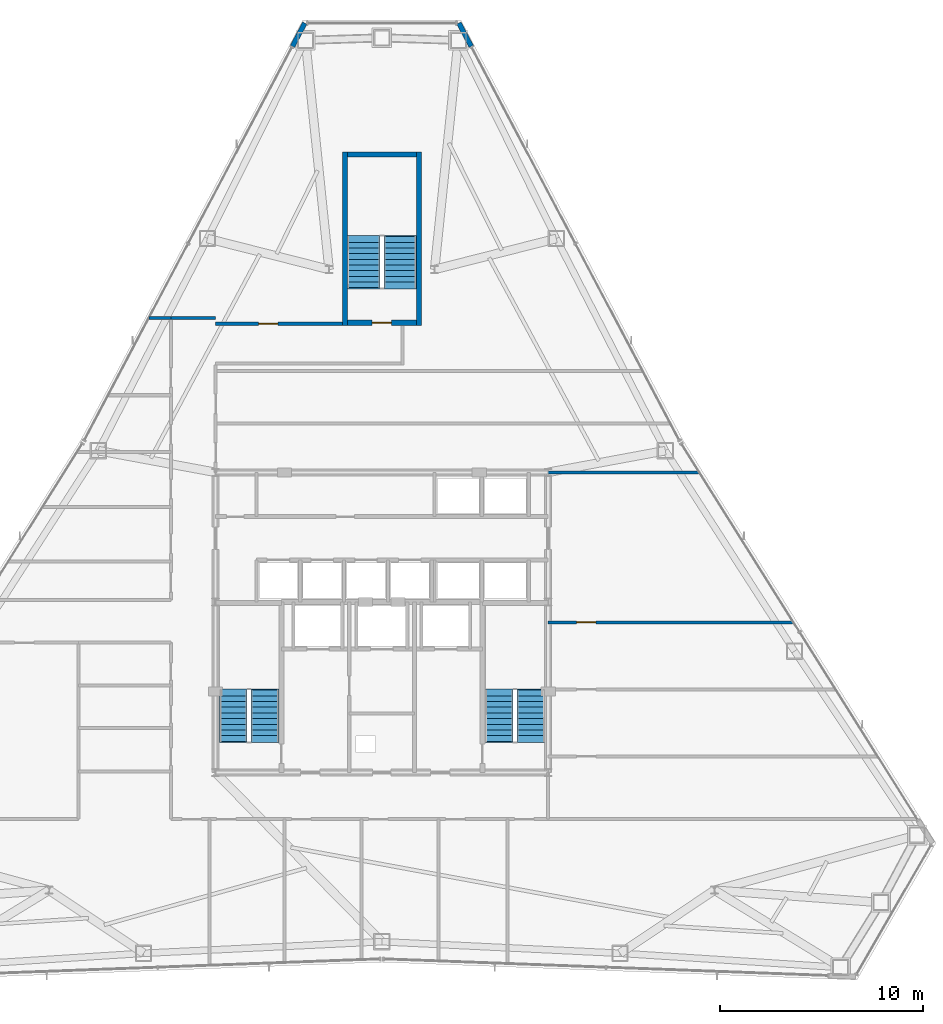
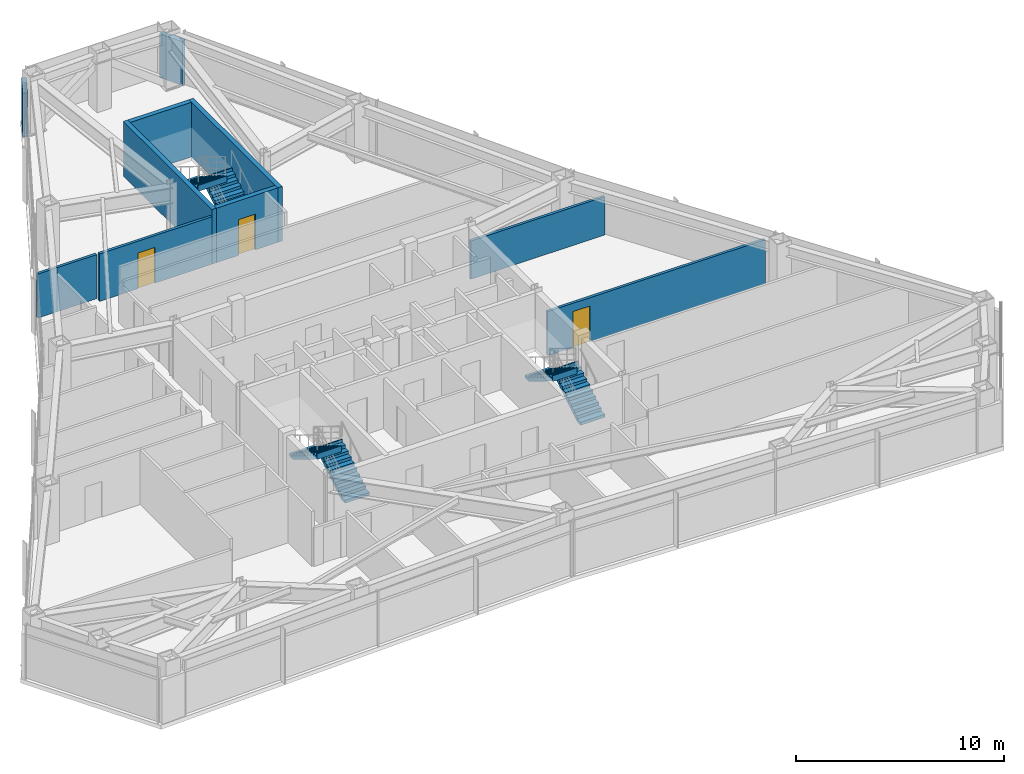
# One storey, part 12 of 13: 11 walls, 6 stair flights, 3 doors, 3 openings, 3 elements without a shape of their own.
"""IFC4 building model written with IfcOpenShell, lengths in metres."""

import ifcopenshell
import ifcopenshell.guid

model = None  # the IFC model being written
_history = None  # IfcOwnerHistory: only IFC2X3 demands one
_inside = {}  # id of a spatial element -> (the spatial element, [elements in it])
_under = {}  # id of a project, library or spatial element -> (it, [spatial elements below it])
_declared = {}  # id of a project -> (the project, [libraries it declares])
_typed = {}  # id of a type object -> (the type object, [elements of that type])
_made_of = {}  # id of a material, layer set ... -> (it, [elements and type objects made of it])


def new_model(schema):
    """Start an empty IFC model of exactly this schema.

    Asked for "IFC4X3", IfcOpenShell would pick the latest addendum, in which some entities
    have other attributes; the version numbers below select the first issue.
    IFC2X3 requires an IfcOwnerHistory on every rooted entity: one is made here for all.
    """
    global model, _history
    if schema == "IFC4X3":
        model = ifcopenshell.file(schema_version=(4, 3, 0, 0))
    else:
        model = ifcopenshell.file(schema=schema)
    _inside.clear()
    _under.clear()
    _declared.clear()
    _typed.clear()
    _made_of.clear()
    _history = None
    if model.schema == "IFC2X3":
        org = make("IfcOrganization", Name="unknown")
        user = make(
            "IfcPersonAndOrganization",
            ThePerson=make("IfcPerson", FamilyName="unknown"),
            TheOrganization=org,
        )
        app = make(
            "IfcApplication",
            ApplicationDeveloper=org,
            Version="unknown",
            ApplicationFullName="unknown",
            ApplicationIdentifier="unknown",
        )
        _history = make(
            "IfcOwnerHistory",
            OwningUser=user,
            OwningApplication=app,
            ChangeAction="ADDED",
            CreationDate=0,
        )
    return model


def make(cls, **values):
    """One entity of the class cls with the attributes given. An attribute that is None is left unset."""
    return model.create_entity(
        cls, **{name: value for name, value in values.items() if value is not None}
    )


def rooted(cls, **values):
    """An entity with a GlobalId (a new one), such as an element, a storey or a relation."""
    return make(cls, GlobalId=ifcopenshell.guid.new(), OwnerHistory=_history, **values)


def si_unit(unit_type, name, prefix=None):
    """IfcSIUnit, for example si_unit("LENGTHUNIT", "METRE", prefix="MILLI")."""
    return make("IfcSIUnit", UnitType=unit_type, Prefix=prefix, Name=name)


def assignment(units):
    """IfcUnitAssignment: the units of a project."""
    return None if units is None else make("IfcUnitAssignment", Units=units)


def point(xyz):
    """IfcCartesianPoint."""
    return None if xyz is None else make("IfcCartesianPoint", Coordinates=xyz)


def direction(xyz):
    """IfcDirection."""
    return None if xyz is None else make("IfcDirection", DirectionRatios=xyz)


def frame(location, z_axis=None, x_axis=None):
    """IfcAxis2Placement3D, a coordinate frame: its origin and axes. An axis left out is left unset."""
    return make(
        "IfcAxis2Placement3D",
        Location=point(location),
        Axis=direction(z_axis),
        RefDirection=direction(x_axis),
    )


def frame_2d(location, x_axis=None):
    """IfcAxis2Placement2D, a coordinate frame in the plane: its origin and x axis."""
    return make(
        "IfcAxis2Placement2D", Location=point(location), RefDirection=direction(x_axis)
    )


def origin():
    """The frame at (0, 0, 0) with its axes left unset."""
    return frame((0.0, 0.0, 0.0))


def place(relative_to, where):
    """IfcLocalPlacement: puts the frame where relative to a parent placement (None: the world)."""
    return make(
        "IfcLocalPlacement", PlacementRelTo=relative_to, RelativePlacement=where
    )


def context(
    kind, dimensions, precision=None, world=None, true_north=None, identifier=None
):
    """IfcGeometricRepresentationContext, for example the 3D "Model" context."""
    return make(
        "IfcGeometricRepresentationContext",
        ContextIdentifier=identifier,
        ContextType=kind,
        CoordinateSpaceDimension=dimensions,
        Precision=precision,
        WorldCoordinateSystem=world,
        TrueNorth=true_north,
    )


def subcontext(parent, identifier, kind, view, scale=None):
    """IfcGeometricRepresentationSubContext, for example "Body" below "Model"."""
    return make(
        "IfcGeometricRepresentationSubContext",
        ContextIdentifier=identifier,
        ContextType=kind,
        ParentContext=parent,
        TargetScale=scale,
        TargetView=view,
    )


def project(units=None, contexts=None):
    """IfcProject with its units and contexts."""
    return rooted(
        "IfcProject",
        Name="project",
        RepresentationContexts=contexts,
        UnitsInContext=assignment(units),
    )


def spatial(cls, under=None, at=None, **own):
    """A site, building, storey or space (cls), placed at a placement, below another one or the project."""
    s = rooted(cls, ObjectPlacement=at, **own)
    if under is not None:
        _under.setdefault(under.id(), (under, []))[1].append(s)
    return s


def polyline(points):
    """IfcPolyline through the points."""
    return make("IfcPolyline", Points=[point(p) for p in points])


def profile(cls, at=None, kind="AREA", **sizes):
    """A parametric profile (cls). Its sizes go by their IFC names, for example OverallWidth=200.0."""
    return make(cls, ProfileType=kind, Position=at, **sizes)


def rectangle(**sizes):
    """IfcRectangleProfileDef."""
    return profile("IfcRectangleProfileDef", **sizes)


def outline(outer, holes=None, kind="AREA"):
    """IfcArbitraryClosedProfileDef: a profile drawn as a closed curve; with holes, ...WithVoids."""
    if holes is None:
        return make("IfcArbitraryClosedProfileDef", ProfileType=kind, OuterCurve=outer)
    return make(
        "IfcArbitraryProfileDefWithVoids",
        ProfileType=kind,
        OuterCurve=outer,
        InnerCurves=holes,
    )


def extrude(swept, where, along, depth):
    """IfcExtrudedAreaSolid: the profile swept, set in the frame where, extruded along a direction by depth."""
    return make(
        "IfcExtrudedAreaSolid",
        SweptArea=swept,
        Position=where,
        ExtrudedDirection=direction(along),
        Depth=depth,
    )


def shape(context_of_items, identifier, shape_type, items):
    """IfcShapeRepresentation: the items that make up one representation, for example the "Body"."""
    return make(
        "IfcShapeRepresentation",
        ContextOfItems=context_of_items,
        RepresentationIdentifier=identifier,
        RepresentationType=shape_type,
        Items=items,
    )


def material(Name=None, Category=None):
    """IfcMaterial."""
    return make("IfcMaterial", Name=Name, Category=Category)


def layer(
    of_material, thickness, ventilated=None, Name=None, Category=None, Priority=None
):
    """IfcMaterialLayer: one layer of a wall or slab, of a material (None: an air gap)."""
    return make(
        "IfcMaterialLayer",
        Material=of_material,
        LayerThickness=thickness,
        IsVentilated=ventilated,
        Name=Name,
        Category=Category,
        Priority=Priority,
    )


def layer_set(layers, Name=None):
    """IfcMaterialLayerSet."""
    return make("IfcMaterialLayerSet", MaterialLayers=layers, LayerSetName=Name)


def made_of(thing, what):
    """Note that an element or type object is made of a material, layer set ...; save() writes the relation."""
    if what is not None:
        _made_of.setdefault(what.id(), (what, []))[1].append(thing)
    return thing


def type_object(cls, material=None, **own):
    """A type object (cls), such as IfcWallType, which elements share."""
    return made_of(rooted(cls, **own), material)


def element(
    cls,
    number,
    at=None,
    inside=None,
    cuts=None,
    type_object=None,
    material=None,
    context=None,
    identifier="Body",
    shape_type=None,
    held_by="IfcProductDefinitionShape",
    body=None,
    shapes=None,
    **own,
):
    """One element of the class cls, such as IfcWall. Its Tag is "e" and its number.

    at: its placement. inside: the storey or other place that contains it. cuts: it is an
    opening in that element (IfcRelVoidsElement). A single representation is given by context,
    identifier, shape_type and body (its items); several are given by shapes. held_by: the class
    of the entity that holds the representations. save() writes the other relations.
    """
    e = rooted(cls, Tag="e%d" % number, ObjectPlacement=at, **own)
    if body is not None:
        shapes = [shape(context, identifier, shape_type, body)]
    if shapes is not None:
        e.Representation = make(held_by, Representations=shapes)
    if inside is not None:
        _inside.setdefault(inside.id(), (inside, []))[1].append(e)
    if cuts is not None:
        rooted(
            "IfcRelVoidsElement", RelatingBuildingElement=cuts, RelatedOpeningElement=e
        )
    if type_object is not None:
        _typed.setdefault(type_object.id(), (type_object, []))[1].append(e)
    return made_of(e, material)


def fill(opening, filler):
    """IfcRelFillsElement: the door or window that sits in an opening."""
    return rooted(
        "IfcRelFillsElement",
        RelatingOpeningElement=opening,
        RelatedBuildingElement=filler,
    )


def aggregate(whole, parts):
    """IfcRelAggregates: a whole, such as a stair, and the parts it consists of."""
    return rooted("IfcRelAggregates", RelatingObject=whole, RelatedObjects=parts)


def save(model, path):
    """Write the relations noted so far, then the file.

    IfcRelAggregates (storeys below a building ...), IfcRelContainedInSpatialStructure (elements
    in a storey), IfcRelDefinesByType, IfcRelAssociatesMaterial and IfcRelDeclares: one each for
    every whole, place, type object, material and project.
    """
    for whole, parts in _under.values():
        aggregate(whole, parts)
    for where, things in _inside.values():
        rooted(
            "IfcRelContainedInSpatialStructure",
            RelatedElements=things,
            RelatingStructure=where,
        )
    for kind, things in _typed.values():
        rooted("IfcRelDefinesByType", RelatedObjects=things, RelatingType=kind)
    for what, things in _made_of.values():
        rooted("IfcRelAssociatesMaterial", RelatedObjects=things, RelatingMaterial=what)
    for by, libraries in _declared.values():
        rooted("IfcRelDeclares", RelatingContext=by, RelatedDefinitions=libraries)
    model.write(path)


model = new_model("IFC4")

# Units and contexts
model_context = context("Model", 3, precision=1e-05, world=origin(), true_north=direction((0.0, 1.0)))
body_context = subcontext(model_context, "Body", "Model", "MODEL_VIEW")
ifc_project = project(units=[si_unit("LENGTHUNIT", "METRE"), si_unit("AREAUNIT", "SQUARE_METRE"), si_unit("VOLUMEUNIT", "CUBIC_METRE"), si_unit("PLANEANGLEUNIT", "RADIAN"), si_unit("MASSUNIT", "GRAM", prefix="KILO")], contexts=[model_context])

# Site, building, storey
site_placement = place(None, origin())
site = spatial("IfcSite", under=ifc_project, at=site_placement, CompositionType="ELEMENT")
building_placement = place(site_placement, origin())
building = spatial("IfcBuilding", under=site, at=building_placement, Name="Varakhsha Concourse Tower", CompositionType="ELEMENT")
storey_placement = place(building_placement, frame((0.0, 0.0, 175.800048828125)))
storey = spatial("IfcBuildingStorey", under=building, at=storey_placement, Name="L50", CompositionType="ELEMENT", Elevation=175.800048828125)

# Walls
ifc_material_1 = material(Name="Concrete fc 45 MPa", Category="concrete")
ifc_layer_1 = layer(ifc_material_1, 0.239990234375, Name="WL-EXT-CRN-240")
ifc_layer_set_1 = layer_set([ifc_layer_1], Name="Concrete fc 45 MPa")
wall_type_1 = type_object("IfcWallType", Name="WL-EXT-CRN-240", PredefinedType="SHEAR", material=ifc_layer_set_1)
for number, where, z_axis, x_axis, name in (
    (1, (36.201416015625, 53.347412109375, 0.0), (0.0, 0.0, 1.0), (-0.467284284501, -0.884107118769, 0.0), "L50 Wind-Corner Shoulder Wall F2"),
    (2, (44.40673828125, 52.19677734375, 0.0), (0.0, 0.0, 1.0), (-0.467284284501, 0.884107118769, 0.0), "L50 Wind-Corner Shoulder Wall F9"),
):
    element("IfcWall", number, at=place(storey_placement, frame(where, z_axis=z_axis, x_axis=x_axis)), inside=storey, type_object=wall_type_1, Name=name, PredefinedType="SHEAR", context=body_context, shape_type="SweptSolid", body=[
        extrude(rectangle(XDim=1.301513671875, YDim=0.239990234375, at=frame_2d((0.65087890625, 0.0))), origin(), (0.0, 0.0, 1.0), 2.5830078125),
    ])
ifc_material_2 = material(Name="Fire-Rated Type X Gypsum Partition Assembly", Category="gypsum")
ifc_layer_2 = layer(ifc_material_2, 0.14990234375, Name="WL-PART-150")
ifc_layer_set_2 = layer_set([ifc_layer_2], Name="Fire-Rated Type X Gypsum Partition Assembly")
wall_type_2 = type_object("IfcWallType", Name="WL-PART-150", PredefinedType="PARTITIONING", material=ifc_layer_set_2)
wall_1_placement = place(storey_placement, frame((29.60009765625, 38.800048828125, 0.0), z_axis=(0.0, 0.0, 1.0), x_axis=(1.0, 0.0, 0.0)))
element("IfcWall", 3, at=wall_1_placement, inside=storey, type_object=wall_type_2, Name="L50 Wall CRW-NCAP-L50", PredefinedType="PARTITIONING", context=body_context, shape_type="SweptSolid", body=[
    extrude(rectangle(XDim=2.199951171875, YDim=0.14990234375, at=frame_2d((1.10009765625, 0.0))), origin(), (0.0, 0.0, 1.0), 2.5888671875),
])
wall_2_placement = place(storey_placement, frame((28.51806640625, 38.800048828125, 0.0), z_axis=(0.0, 0.0, 1.0), x_axis=(1.0, 0.0, 0.0)))
element("IfcWall", 4, at=wall_2_placement, inside=storey, type_object=wall_type_2, Name="L50 Wall ODIV-NWT-L50", PredefinedType="PARTITIONING", context=body_context, shape_type="SweptSolid", body=[
    extrude(rectangle(XDim=1.08203125, YDim=0.14990234375, at=frame_2d((0.541015625, 0.0))), origin(), (0.0, 0.0, 1.0), 2.5888671875),
])
wall_3_placement = place(storey_placement, frame((48.199951171875, 31.199951171875, 0.0), z_axis=(0.0, 0.0, 1.0), x_axis=(1.0, 0.0, 0.0)))
element("IfcWall", 5, at=wall_3_placement, inside=storey, type_object=wall_type_2, Name="L50 Wall ODIV-NEB-L50", PredefinedType="PARTITIONING", context=body_context, shape_type="SweptSolid", body=[
    extrude(rectangle(XDim=7.44775390625, YDim=0.14990234375, at=frame_2d((3.723876953125, 0.0))), origin(), (0.0, 0.0, 1.0), 2.251953125),
])

# Wall, opening, door
wall_4_placement = place(storey_placement, frame((48.199951171875, 23.800048828125, 0.0), z_axis=(0.0, 0.0, 1.0), x_axis=(1.0, 0.0, 0.0)))
wall_4 = element("IfcWall", 6, at=wall_4_placement, inside=storey, type_object=wall_type_2, Name="L50 Wall ODIV-E3-L50", PredefinedType="PARTITIONING", context=body_context, shape_type="SweptSolid", body=[
    extrude(rectangle(XDim=12.097412109375, YDim=0.14990234375, at=frame_2d((6.048828125, 0.0))), origin(), (0.0, 0.0, 1.0), 2.5888671875),
])
opening_1_placement = place(wall_4_placement, frame((1.39990234375, 0.0, 0.0)))
opening_1 = element("IfcOpeningElement", 7, at=opening_1_placement, cuts=wall_4, Name="Opening DF-05", PredefinedType="OPENING", context=body_context, shape_type="SweptSolid", body=[
    extrude(rectangle(XDim=0.949951171875, YDim=2.10009765625, at=frame_2d((0.47509765625, 1.050048828125))), frame((0.0, 0.0849609375, 0.0), z_axis=(0.0, -1.0, 0.0), x_axis=(1.0, 0.0, 0.0)), (0.0, 0.0, 1.0), 0.169921875),
])
ifc_material_3 = material(Name="Hollow Galvanised Steel Fire Door Assembly", Category="steel")
door_type_1 = type_object("IfcDoorType", Name="DR-FD60-950", OperationType="NOTDEFINED", PredefinedType="DOOR", material=ifc_material_3)
door_1_placement = place(opening_1_placement, origin())
door_1 = element("IfcDoor", 8, at=door_1_placement, inside=storey, type_object=door_type_1, Name="L50 East Suite Interconnect Door 3", OperationType="SINGLE_SWING_LEFT", OverallHeight=2.10009765625, OverallWidth=0.949951171875, PredefinedType="DOOR", context=body_context, shape_type="SweptSolid", body=[
    extrude(rectangle(XDim=0.949951171875, YDim=2.10009765625, at=frame_2d((0.47509765625, 1.050048828125))), frame((0.0, 0.02490234375, 0.0), z_axis=(0.0, -1.0, 0.0), x_axis=(1.0, 0.0, 0.0)), (0.0, 0.0, 1.0), 0.050048828125),
])
fill(opening_1, door_1)

wall_5_placement = place(storey_placement, frame((31.800048828125, 38.52490234375, 0.0), z_axis=(0.0, 0.0, 1.0), x_axis=(1.0, 0.0, 0.0)))
wall_5 = element("IfcWall", 9, at=wall_5_placement, inside=storey, type_object=wall_type_2, Name="L50 Wall STLK-N-L50", PredefinedType="PARTITIONING", context=body_context, shape_type="SweptSolid", body=[
    extrude(rectangle(XDim=6.25, YDim=0.14990234375, at=frame_2d((3.125, 0.0))), origin(), (0.0, 0.0, 1.0), 2.79296875),
])
opening_2_placement = place(wall_5_placement, frame((2.125, 0.0, 0.0)))
opening_2 = element("IfcOpeningElement", 10, at=opening_2_placement, cuts=wall_5, Name="Opening DF-05", PredefinedType="OPENING", context=body_context, shape_type="SweptSolid", body=[
    extrude(rectangle(XDim=0.949951171875, YDim=2.10009765625, at=frame_2d((0.47509765625, 1.050048828125))), frame((0.0, 0.0849609375, 0.0), z_axis=(0.0, -1.0, 0.0), x_axis=(1.0, 0.0, 0.0)), (0.0, 0.0, 1.0), 0.169921875),
])
door_2_placement = place(opening_2_placement, origin())
door_2 = element("IfcDoor", 11, at=door_2_placement, inside=storey, type_object=door_type_1, Name="L50 Apex Senior Partner Chamber L50-NE3 Door", OperationType="SINGLE_SWING_RIGHT", OverallHeight=2.10009765625, OverallWidth=0.949951171875, PredefinedType="DOOR", context=body_context, shape_type="SweptSolid", body=[
    extrude(rectangle(XDim=0.949951171875, YDim=2.10009765625, at=frame_2d((0.47509765625, 1.050048828125))), frame((0.0, 0.02490234375, 0.0), z_axis=(0.0, -1.0, 0.0), x_axis=(1.0, 0.0, 0.0)), (0.0, 0.0, 1.0), 0.050048828125),
])
fill(opening_2, door_2)

# Walls
ifc_layer_3 = layer(ifc_material_1, 0.25, Name="WL-STAIR-250")
ifc_layer_set_3 = layer_set([ifc_layer_3], Name="Concrete fc 45 MPa")
wall_type_3 = type_object("IfcWallType", Name="WL-STAIR-250", PredefinedType="SHEAR", material=ifc_layer_set_3)
for number, where, z_axis, x_axis, name in (
    (12, (38.175048828125, 38.449951171875, 0.0), (0.0, 0.0, 1.0), (0.0, 1.0, 0.0), "L50 Wall SWALL-ST5-W-L50"),
    (13, (41.824951171875, 38.449951171875, 0.0), (0.0, 0.0, 1.0), (0.0, 1.0, 0.0), "L50 Wall SWALL-ST5-E-L50"),
):
    element("IfcWall", number, at=place(storey_placement, frame(where, z_axis=z_axis, x_axis=x_axis)), inside=storey, type_object=wall_type_3, Name=name, PredefinedType="SHEAR", context=body_context, shape_type="SweptSolid", body=[
        extrude(rectangle(XDim=8.550048828125, YDim=0.25, at=frame_2d((4.27490234375, 0.0))), origin(), (0.0, 0.0, 1.0), 3.2099609375),
    ])

# Wall, opening, door
wall_6_placement = place(storey_placement, frame((38.300048828125, 38.574951171875, 0.0), z_axis=(0.0, 0.0, 1.0), x_axis=(1.0, 0.0, 0.0)))
wall_6 = element("IfcWall", 14, at=wall_6_placement, inside=storey, type_object=wall_type_3, Name="L50 Wall SWALL-ST5-S-L50", PredefinedType="SHEAR", context=body_context, shape_type="SweptSolid", body=[
    extrude(rectangle(XDim=3.39990234375, YDim=0.25, at=frame_2d((1.699951171875, 0.0))), origin(), (0.0, 0.0, 1.0), 3.2099609375),
])
opening_3_placement = place(wall_6_placement, frame((1.22509765625, 0.0, 0.0)))
opening_3 = element("IfcOpeningElement", 15, at=opening_3_placement, cuts=wall_6, Name="Opening DF-03", PredefinedType="OPENING", context=body_context, shape_type="SweptSolid", body=[
    extrude(rectangle(XDim=0.949951171875, YDim=2.10009765625, at=frame_2d((0.47509765625, 1.050048828125))), frame((0.0, 0.135009765625, 0.0), z_axis=(0.0, -1.0, 0.0), x_axis=(1.0, 0.0, 0.0)), (0.0, 0.0, 1.0), 0.27001953125),
])
door_type_2 = type_object("IfcDoorType", Name="DR-FD90-950", OperationType="NOTDEFINED", PredefinedType="DOOR", material=ifc_material_3)
door_3_placement = place(opening_3_placement, origin())
door_3 = element("IfcDoor", 16, at=door_3_placement, inside=storey, type_object=door_type_2, Name="L50 Stair ST5 Fire Door", OperationType="SINGLE_SWING_RIGHT", OverallHeight=2.10009765625, OverallWidth=0.949951171875, PredefinedType="DOOR", context=body_context, shape_type="SweptSolid", body=[
    extrude(rectangle(XDim=0.949951171875, YDim=2.10009765625, at=frame_2d((0.47509765625, 1.050048828125))), frame((0.0, 0.02490234375, 0.0), z_axis=(0.0, -1.0, 0.0), x_axis=(1.0, 0.0, 0.0)), (0.0, 0.0, 1.0), 0.050048828125),
])
fill(opening_3, door_3)

# Wall
wall_7_placement = place(storey_placement, frame((38.300048828125, 46.875, 0.0), z_axis=(0.0, 0.0, 1.0), x_axis=(1.0, 0.0, 0.0)))
element("IfcWall", 17, at=wall_7_placement, inside=storey, type_object=wall_type_3, Name="L50 Wall SWALL-ST5-N-L50", PredefinedType="SHEAR", context=body_context, shape_type="SweptSolid", body=[
    extrude(rectangle(XDim=3.39990234375, YDim=0.25, at=frame_2d((1.699951171875, 0.0))), origin(), (0.0, 0.0, 1.0), 3.2099609375),
])

# Stair, stair flights
stair_type_1 = type_object("IfcStairType", Name="ST-DOGLEG-1360", PredefinedType="HALF_TURN_STAIR", material=ifc_material_1)
stair_1_placement = place(storey_placement, origin())
stair_1 = element("IfcStair", 18, at=stair_1_placement, inside=storey, type_object=stair_type_1, Name="L50 Protected Exit Stair ST1", PredefinedType="HALF_TURN_STAIR")
stair_flight_type_1 = type_object("IfcStairFlightType", Name="STF-1360-R1725", PredefinedType="STRAIGHT", material=ifc_material_1)
stair_flight_1_placement = place(storey_placement, frame((34.239990234375, 17.93994140625, 0.0), z_axis=(0.0, 0.0, 1.0), x_axis=(0.0, 1.0, 0.0)))
stair_flight_1 = element("IfcStairFlight", 19, at=stair_flight_1_placement, type_object=stair_flight_type_1, Name="ST1 flight 1", NumberOfRisers=10, NumberOfTreads=9, PredefinedType="STRAIGHT", RiserHeight=0.1725, TreadLength=0.28, context=body_context, shape_type="SweptSolid", body=[
    extrude(outline(polyline([(-0.06005859375, 0.0), (-0.06005859375, 0.172607421875), (0.0, 0.172607421875), (0.280029296875, 0.172607421875), (0.280029296875, 0.344970703125), (0.56005859375, 0.344970703125), (0.56005859375, 0.517578125), (0.840087890625, 0.517578125), (0.840087890625, 0.68994140625), (1.1201171875, 0.68994140625), (1.1201171875, 0.862548828125), (1.39990234375, 0.862548828125), (1.39990234375, 1.034912109375), (1.679931640625, 1.034912109375), (1.679931640625, 1.20751953125), (1.9599609375, 1.20751953125), (1.9599609375, 1.3798828125), (2.239990234375, 1.3798828125), (2.239990234375, 1.552490234375), (2.52001953125, 1.552490234375), (2.52001953125, 1.72509765625), (2.580078125, 1.72509765625), (2.580078125, 1.37646484375), (2.52001953125, 1.37646484375), (0.285888671875, 0.0), (-0.06005859375, 0.0)])), frame((0.0, 0.68017578125, 0.0), z_axis=(0.0, -1.0, 0.0), x_axis=(1.0, 0.0, 0.0)), (0.0, 0.0, 1.0), 1.360107421875),
])
stair_flight_2_placement = place(storey_placement, frame((32.679931640625, 20.4599609375, 1.724853515625), z_axis=(0.0, 0.0, 1.0), x_axis=(0.0, -1.0, 0.0)))
stair_flight_2 = element("IfcStairFlight", 20, at=stair_flight_2_placement, type_object=stair_flight_type_1, Name="ST1 flight 2", NumberOfRisers=10, NumberOfTreads=9, PredefinedType="STRAIGHT", RiserHeight=0.1725, TreadLength=0.28, context=body_context, shape_type="SweptSolid", body=[
    extrude(outline(polyline([(-0.06005859375, 0.0), (-0.06005859375, 0.172607421875), (0.0, 0.172607421875), (0.280029296875, 0.172607421875), (0.280029296875, 0.344970703125), (0.56005859375, 0.344970703125), (0.56005859375, 0.517578125), (0.840087890625, 0.517578125), (0.840087890625, 0.68994140625), (1.1201171875, 0.68994140625), (1.1201171875, 0.862548828125), (1.39990234375, 0.862548828125), (1.39990234375, 1.034912109375), (1.679931640625, 1.034912109375), (1.679931640625, 1.20751953125), (1.9599609375, 1.20751953125), (1.9599609375, 1.3798828125), (2.239990234375, 1.3798828125), (2.239990234375, 1.552490234375), (2.52001953125, 1.552490234375), (2.52001953125, 1.72509765625), (2.580078125, 1.72509765625), (2.580078125, 1.37646484375), (2.52001953125, 1.37646484375), (0.285888671875, 0.0), (-0.06005859375, 0.0)])), frame((0.0, 0.68017578125, 0.0), z_axis=(0.0, -1.0, 0.0), x_axis=(1.0, 0.0, 0.0)), (0.0, 0.0, 1.0), 1.360107421875),
])
aggregate(stair_1, [stair_flight_1, stair_flight_2])

stair_2_placement = place(storey_placement, origin())
stair_2 = element("IfcStair", 21, at=stair_2_placement, inside=storey, type_object=stair_type_1, Name="L50 Protected Exit Stair ST2", PredefinedType="HALF_TURN_STAIR")
stair_flight_3_placement = place(storey_placement, frame((47.340087890625, 17.93994140625, 0.0), z_axis=(0.0, 0.0, 1.0), x_axis=(0.0, 1.0, 0.0)))
stair_flight_3 = element("IfcStairFlight", 22, at=stair_flight_3_placement, type_object=stair_flight_type_1, Name="ST2 flight 1", NumberOfRisers=10, NumberOfTreads=9, PredefinedType="STRAIGHT", RiserHeight=0.1725, TreadLength=0.28, context=body_context, shape_type="SweptSolid", body=[
    extrude(outline(polyline([(-0.06005859375, 0.0), (-0.06005859375, 0.172607421875), (0.0, 0.172607421875), (0.280029296875, 0.172607421875), (0.280029296875, 0.344970703125), (0.56005859375, 0.344970703125), (0.56005859375, 0.517578125), (0.840087890625, 0.517578125), (0.840087890625, 0.68994140625), (1.1201171875, 0.68994140625), (1.1201171875, 0.862548828125), (1.39990234375, 0.862548828125), (1.39990234375, 1.034912109375), (1.679931640625, 1.034912109375), (1.679931640625, 1.20751953125), (1.9599609375, 1.20751953125), (1.9599609375, 1.3798828125), (2.239990234375, 1.3798828125), (2.239990234375, 1.552490234375), (2.52001953125, 1.552490234375), (2.52001953125, 1.72509765625), (2.580078125, 1.72509765625), (2.580078125, 1.37646484375), (2.52001953125, 1.37646484375), (0.285888671875, 0.0), (-0.06005859375, 0.0)])), frame((0.0, 0.68017578125, 0.0), z_axis=(0.0, -1.0, 0.0), x_axis=(1.0, 0.0, 0.0)), (0.0, 0.0, 1.0), 1.360107421875),
])
stair_flight_4_placement = place(storey_placement, frame((45.780029296875, 20.4599609375, 1.724853515625), z_axis=(0.0, 0.0, 1.0), x_axis=(0.0, -1.0, 0.0)))
stair_flight_4 = element("IfcStairFlight", 23, at=stair_flight_4_placement, type_object=stair_flight_type_1, Name="ST2 flight 2", NumberOfRisers=10, NumberOfTreads=9, PredefinedType="STRAIGHT", RiserHeight=0.1725, TreadLength=0.28, context=body_context, shape_type="SweptSolid", body=[
    extrude(outline(polyline([(-0.06005859375, 0.0), (-0.06005859375, 0.172607421875), (0.0, 0.172607421875), (0.280029296875, 0.172607421875), (0.280029296875, 0.344970703125), (0.56005859375, 0.344970703125), (0.56005859375, 0.517578125), (0.840087890625, 0.517578125), (0.840087890625, 0.68994140625), (1.1201171875, 0.68994140625), (1.1201171875, 0.862548828125), (1.39990234375, 0.862548828125), (1.39990234375, 1.034912109375), (1.679931640625, 1.034912109375), (1.679931640625, 1.20751953125), (1.9599609375, 1.20751953125), (1.9599609375, 1.3798828125), (2.239990234375, 1.3798828125), (2.239990234375, 1.552490234375), (2.52001953125, 1.552490234375), (2.52001953125, 1.72509765625), (2.580078125, 1.72509765625), (2.580078125, 1.37646484375), (2.52001953125, 1.37646484375), (0.285888671875, 0.0), (-0.06005859375, 0.0)])), frame((0.0, 0.68017578125, 0.0), z_axis=(0.0, -1.0, 0.0), x_axis=(1.0, 0.0, 0.0)), (0.0, 0.0, 1.0), 1.360107421875),
])
aggregate(stair_2, [stair_flight_3, stair_flight_4])

stair_type_2 = type_object("IfcStairType", Name="ST-DOGLEG-1600", PredefinedType="HALF_TURN_STAIR", material=ifc_material_1)
stair_3_placement = place(storey_placement, origin())
stair_3 = element("IfcStair", 24, at=stair_3_placement, inside=storey, type_object=stair_type_2, Name="L50 Protected Exit Stair ST5", PredefinedType="HALF_TURN_STAIR")
stair_flight_type_2 = type_object("IfcStairFlightType", Name="STF-1600-R1725", PredefinedType="STRAIGHT", material=ifc_material_1)
stair_flight_5_placement = place(storey_placement, frame((40.89990234375, 40.300048828125, 0.0), z_axis=(0.0, 0.0, 1.0), x_axis=(0.0, 1.0, 0.0)))
stair_flight_5 = element("IfcStairFlight", 25, at=stair_flight_5_placement, type_object=stair_flight_type_2, Name="ST5 flight 1", NumberOfRisers=10, NumberOfTreads=9, PredefinedType="STRAIGHT", RiserHeight=0.1725, TreadLength=0.28, context=body_context, shape_type="SweptSolid", body=[
    extrude(outline(polyline([(-0.06005859375, 0.0), (-0.06005859375, 0.172607421875), (0.0, 0.172607421875), (0.280029296875, 0.172607421875), (0.280029296875, 0.344970703125), (0.56005859375, 0.344970703125), (0.56005859375, 0.517578125), (0.840087890625, 0.517578125), (0.840087890625, 0.68994140625), (1.1201171875, 0.68994140625), (1.1201171875, 0.862548828125), (1.39990234375, 0.862548828125), (1.39990234375, 1.034912109375), (1.679931640625, 1.034912109375), (1.679931640625, 1.20751953125), (1.9599609375, 1.20751953125), (1.9599609375, 1.3798828125), (2.239990234375, 1.3798828125), (2.239990234375, 1.552490234375), (2.52001953125, 1.552490234375), (2.52001953125, 1.72509765625), (2.580078125, 1.72509765625), (2.580078125, 1.37646484375), (2.52001953125, 1.37646484375), (0.285888671875, 0.0), (-0.06005859375, 0.0)])), frame((0.0, 0.800048828125, 0.0), z_axis=(0.0, -1.0, 0.0), x_axis=(1.0, 0.0, 0.0)), (0.0, 0.0, 1.0), 1.60009765625),
])
stair_flight_6_placement = place(storey_placement, frame((39.10009765625, 42.820068359375, 1.724853515625), z_axis=(0.0, 0.0, 1.0), x_axis=(0.0, -1.0, 0.0)))
stair_flight_6 = element("IfcStairFlight", 26, at=stair_flight_6_placement, type_object=stair_flight_type_2, Name="ST5 flight 2", NumberOfRisers=10, NumberOfTreads=9, PredefinedType="STRAIGHT", RiserHeight=0.1725, TreadLength=0.28, context=body_context, shape_type="SweptSolid", body=[
    extrude(outline(polyline([(-0.06005859375, 0.0), (-0.06005859375, 0.172607421875), (0.0, 0.172607421875), (0.280029296875, 0.172607421875), (0.280029296875, 0.344970703125), (0.56005859375, 0.344970703125), (0.56005859375, 0.517578125), (0.840087890625, 0.517578125), (0.840087890625, 0.68994140625), (1.1201171875, 0.68994140625), (1.1201171875, 0.862548828125), (1.39990234375, 0.862548828125), (1.39990234375, 1.034912109375), (1.679931640625, 1.034912109375), (1.679931640625, 1.20751953125), (1.9599609375, 1.20751953125), (1.9599609375, 1.3798828125), (2.239990234375, 1.3798828125), (2.239990234375, 1.552490234375), (2.52001953125, 1.552490234375), (2.52001953125, 1.72509765625), (2.580078125, 1.72509765625), (2.580078125, 1.37646484375), (2.52001953125, 1.37646484375), (0.285888671875, 0.0), (-0.06005859375, 0.0)])), frame((0.0, 0.800048828125, 0.0), z_axis=(0.0, -1.0, 0.0), x_axis=(1.0, 0.0, 0.0)), (0.0, 0.0, 1.0), 1.60009765625),
])
aggregate(stair_3, [stair_flight_5, stair_flight_6])

save(model, "model.ifc")
